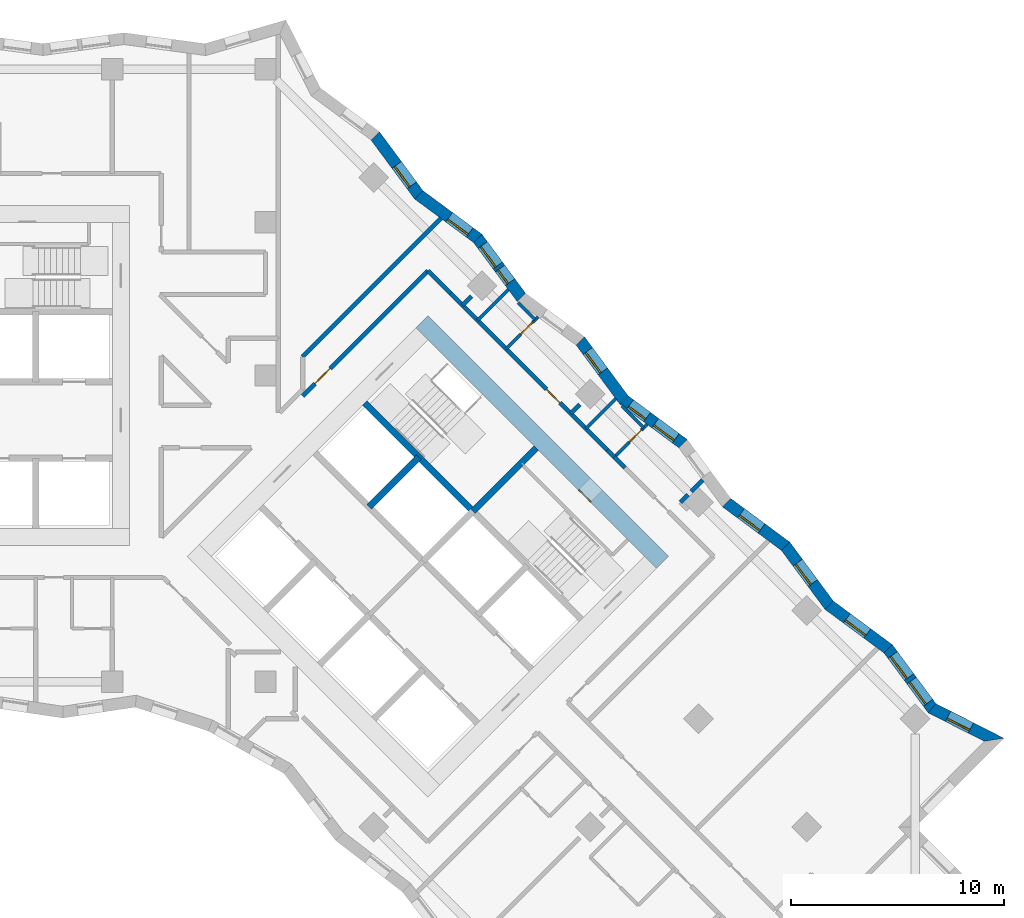
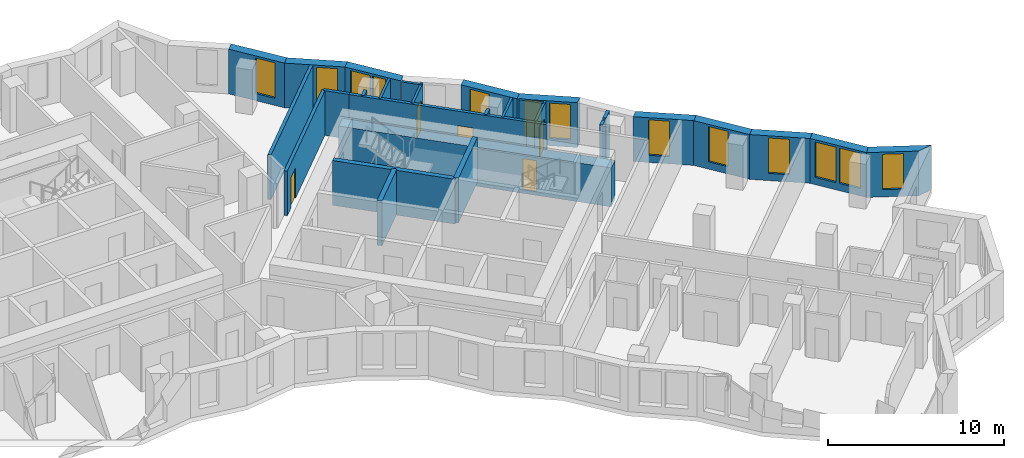
# One storey, part 10 of 13: 30 walls, 13 windows, 5 doors, 18 openings.
"""IFC4 building model written with IfcOpenShell, lengths in metres."""

from ifc_helpers import new_model, si_unit, direction, frame, frame_2d, origin, place, context, subcontext, project, spatial, polyline, rectangle, outline, extrude, material, layer, layer_set, type_object, element, fill, save


model = new_model("IFC4")

# Units and contexts
model_context = context("Model", 3, precision=1e-05, world=origin(), true_north=direction((0.0, 1.0)))
body_context = subcontext(model_context, "Body", "Model", "MODEL_VIEW")
ifc_project = project(units=[si_unit("LENGTHUNIT", "METRE"), si_unit("AREAUNIT", "SQUARE_METRE"), si_unit("VOLUMEUNIT", "CUBIC_METRE"), si_unit("PLANEANGLEUNIT", "RADIAN"), si_unit("MASSUNIT", "GRAM", prefix="KILO")], contexts=[model_context])

# Site, building, storey
site_placement = place(None, origin())
site = spatial("IfcSite", under=ifc_project, at=site_placement, CompositionType="ELEMENT")
building_placement = place(site_placement, origin())
building = spatial("IfcBuilding", under=site, at=building_placement, Name="Windrow Commons", CompositionType="ELEMENT")
storey_placement = place(building_placement, frame((0.0, 0.0, 105.0)))
storey = spatial("IfcBuildingStorey", under=building, at=storey_placement, Name="L28", CompositionType="ELEMENT", Elevation=105.0)

# Wall, opening, window
ifc_material_1 = material(Name="Brick masonry, red clay brick", Category="masonry")
ifc_layer_1 = layer(ifc_material_1, 0.55)
ifc_layer_set_1 = layer_set([ifc_layer_1], Name="Brick facade wall 550")
wall_type_1 = type_object("IfcWallType", Name="Brick facade wall 550", PredefinedType="SOLIDWALL", material=ifc_layer_set_1)
wall_1_placement = place(storey_placement, frame((113.465, 40.4687, 0.0), z_axis=(0.0, 0.0, 1.0), x_axis=(-0.8914386673, 0.4531413715, 0.0)))
wall_1 = element("IfcWall", 1, at=wall_1_placement, inside=storey, type_object=wall_type_1, Name="Brick facade wall L28 7", PredefinedType="SOLIDWALL", context=body_context, shape_type="SweptSolid", body=[
    extrude(outline(polyline([(-0.3789, -0.275), (3.209, -0.275), (3.339, 0.275), (0.3789, 0.275), (-0.3789, -0.275)])), origin(), (0.0, 0.0, 1.0), 3.1),
])
opening_1_placement = place(wall_1_placement, frame((1.2265, 0.0, 0.5)))
opening_1 = element("IfcOpeningElement", 2, at=opening_1_placement, cuts=wall_1, Name="Opening W7D", PredefinedType="OPENING", context=body_context, shape_type="SweptSolid", body=[
    extrude(rectangle(XDim=1.2, YDim=2.45, at=frame_2d((0.6, 1.225))), frame((0.0, 0.285, 0.0), z_axis=(0.0, -1.0, 0.0), x_axis=(1.0, 0.0, 0.0)), (0.0, 0.0, 1.0), 0.57),
])
ifc_material_2 = material(Name="Clear float glass in anodised aluminium frame", Category="aluminium")
window_type_1 = type_object("IfcWindowType", Name="Window W7 notch 1200x2450", PartitioningType="SINGLE_PANEL", PredefinedType="WINDOW", material=ifc_material_2)
window_1_placement = place(opening_1_placement, origin())
window_1 = element("IfcWindow", 3, at=window_1_placement, inside=storey, type_object=window_type_1, Name="Window L28 7.1", OverallHeight=2.45, OverallWidth=1.2, PartitioningType="SINGLE_PANEL", PredefinedType="WINDOW", context=body_context, shape_type="SweptSolid", body=[
    extrude(rectangle(XDim=1.2, YDim=2.45, at=frame_2d((0.6, 1.225))), frame((0.0, 0.155, 0.0), z_axis=(0.0, -1.0, 0.0), x_axis=(1.0, 0.0, 0.0)), (0.0, 0.0, 1.0), 0.06),
])
fill(opening_1, window_1)

# Wall, openings, windows
wall_2_placement = place(storey_placement, frame((110.5464, 41.9523, 0.0), z_axis=(0.0, 0.0, 1.0), x_axis=(-0.5942955294, 0.8042467431, 0.0)))
wall_2 = element("IfcWall", 4, at=wall_2_placement, inside=storey, type_object=wall_type_1, Name="Brick facade wall L28 8", PredefinedType="SOLIDWALL", context=body_context, shape_type="SweptSolid", body=[
    extrude(outline(polyline([(0.065, -0.275), (3.5145, -0.275), (3.4319, 0.275), (-0.065, 0.275), (0.065, -0.275)])), origin(), (0.0, 0.0, 1.0), 3.1),
])
opening_2_placement = place(wall_2_placement, frame((0.316, 0.0, 0.5)))
opening_2 = element("IfcOpeningElement", 5, at=opening_2_placement, cuts=wall_2, Name="Opening W1P", PredefinedType="OPENING", context=body_context, shape_type="SweptSolid", body=[
    extrude(rectangle(XDim=1.3, YDim=2.45, at=frame_2d((0.65, 1.225))), frame((0.0, 0.285, 0.0), z_axis=(0.0, -1.0, 0.0), x_axis=(1.0, 0.0, 0.0)), (0.0, 0.0, 1.0), 0.57),
])
opening_3_placement = place(wall_2_placement, frame((1.816, 0.0, 0.5)))
opening_3 = element("IfcOpeningElement", 6, at=opening_3_placement, cuts=wall_2, Name="Opening W1P", PredefinedType="OPENING", context=body_context, shape_type="SweptSolid", body=[
    extrude(rectangle(XDim=1.3, YDim=2.45, at=frame_2d((0.65, 1.225))), frame((0.0, 0.285, 0.0), z_axis=(0.0, -1.0, 0.0), x_axis=(1.0, 0.0, 0.0)), (0.0, 0.0, 1.0), 0.57),
])
ifc_material_3 = material(Name="Clear float glass in anodised aluminium frame", Category="aluminium")
window_type_2 = type_object("IfcWindowType", Name="Window W1P pair 1300x2450", PartitioningType="SINGLE_PANEL", PredefinedType="WINDOW", material=ifc_material_3)
window_2_placement = place(opening_2_placement, origin())
window_2 = element("IfcWindow", 7, at=window_2_placement, inside=storey, type_object=window_type_2, Name="Window L28 8.1A", OverallHeight=2.45, OverallWidth=1.3, PartitioningType="SINGLE_PANEL", PredefinedType="WINDOW", context=body_context, shape_type="SweptSolid", body=[
    extrude(rectangle(XDim=1.3, YDim=2.45, at=frame_2d((0.65, 1.225))), frame((0.0, 0.155, 0.0), z_axis=(0.0, -1.0, 0.0), x_axis=(1.0, 0.0, 0.0)), (0.0, 0.0, 1.0), 0.06),
])
fill(opening_2, window_2)
window_3_placement = place(opening_3_placement, origin())
window_3 = element("IfcWindow", 8, at=window_3_placement, inside=storey, type_object=window_type_2, Name="Window L28 8.1B", OverallHeight=2.45, OverallWidth=1.3, PartitioningType="SINGLE_PANEL", PredefinedType="WINDOW", context=body_context, shape_type="SweptSolid", body=[
    extrude(rectangle(XDim=1.3, YDim=2.45, at=frame_2d((0.65, 1.225))), frame((0.0, 0.155, 0.0), z_axis=(0.0, -1.0, 0.0), x_axis=(1.0, 0.0, 0.0)), (0.0, 0.0, 1.0), 0.06),
])
fill(opening_3, window_3)

# Wall, opening, window
wall_3_placement = place(storey_placement, frame((108.4823, 44.7456, 0.0), z_axis=(0.0, 0.0, 1.0), x_axis=(-0.8042309632, 0.5943168833, 0.0)))
wall_3 = element("IfcWall", 9, at=wall_3_placement, inside=storey, type_object=wall_type_1, Name="Brick facade wall L28 9", PredefinedType="SOLIDWALL", context=body_context, shape_type="SweptSolid", body=[
    extrude(outline(polyline([(-0.0413, -0.275), (3.4082, -0.275), (3.4907, 0.275), (0.0413, 0.275), (-0.0413, -0.275)])), origin(), (0.0, 0.0, 1.0), 3.1),
])
opening_4_placement = place(wall_3_placement, frame((1.2156, 0.0, 0.5)))
opening_4 = element("IfcOpeningElement", 10, at=opening_4_placement, cuts=wall_3, Name="Opening W7D", PredefinedType="OPENING", context=body_context, shape_type="SweptSolid", body=[
    extrude(rectangle(XDim=1.2, YDim=2.45, at=frame_2d((0.6, 1.225))), frame((0.0, 0.285, 0.0), z_axis=(0.0, -1.0, 0.0), x_axis=(1.0, 0.0, 0.0)), (0.0, 0.0, 1.0), 0.57),
])
window_4_placement = place(opening_4_placement, origin())
window_4 = element("IfcWindow", 11, at=window_4_placement, inside=storey, type_object=window_type_1, Name="Window L28 9.1", OverallHeight=2.45, OverallWidth=1.2, PartitioningType="SINGLE_PANEL", PredefinedType="WINDOW", context=body_context, shape_type="SweptSolid", body=[
    extrude(rectangle(XDim=1.2, YDim=2.45, at=frame_2d((0.6, 1.225))), frame((0.0, 0.155, 0.0), z_axis=(0.0, -1.0, 0.0), x_axis=(1.0, 0.0, 0.0)), (0.0, 0.0, 1.0), 0.06),
])
fill(opening_4, window_4)

wall_4_placement = place(storey_placement, frame((105.7081, 46.7957, 0.0), z_axis=(0.0, 0.0, 1.0), x_axis=(-0.5943307397, 0.8042207234, 0.0)))
wall_4 = element("IfcWall", 12, at=wall_4_placement, inside=storey, type_object=wall_type_1, Name="Brick facade wall L28 10", PredefinedType="SOLIDWALL", context=body_context, shape_type="SweptSolid", body=[
    extrude(outline(polyline([(0.0413, -0.275), (3.4907, -0.275), (3.4082, 0.275), (-0.0413, 0.275), (0.0413, -0.275)])), origin(), (0.0, 0.0, 1.0), 3.1),
])
opening_5_placement = place(wall_4_placement, frame((1.2904, 0.0, 0.5)))
opening_5 = element("IfcOpeningElement", 13, at=opening_5_placement, cuts=wall_4, Name="Opening W7D", PredefinedType="OPENING", context=body_context, shape_type="SweptSolid", body=[
    extrude(rectangle(XDim=1.2, YDim=2.45, at=frame_2d((0.6, 1.225))), frame((0.0, 0.285, 0.0), z_axis=(0.0, -1.0, 0.0), x_axis=(1.0, 0.0, 0.0)), (0.0, 0.0, 1.0), 0.57),
])
window_5_placement = place(opening_5_placement, origin())
window_5 = element("IfcWindow", 14, at=window_5_placement, inside=storey, type_object=window_type_1, Name="Window L28 10.1", OverallHeight=2.45, OverallWidth=1.2, PartitioningType="SINGLE_PANEL", PredefinedType="WINDOW", context=body_context, shape_type="SweptSolid", body=[
    extrude(rectangle(XDim=1.2, YDim=2.45, at=frame_2d((0.6, 1.225))), frame((0.0, 0.155, 0.0), z_axis=(0.0, -1.0, 0.0), x_axis=(1.0, 0.0, 0.0)), (0.0, 0.0, 1.0), 0.06),
])
fill(opening_5, window_5)

wall_5_placement = place(storey_placement, frame((103.658, 49.5698, 0.0), z_axis=(0.0, 0.0, 1.0), x_axis=(-0.8042207234, 0.5943307397, 0.0)))
wall_5 = element("IfcWall", 15, at=wall_5_placement, inside=storey, type_object=wall_type_1, Name="Brick facade wall L28 11", PredefinedType="SOLIDWALL", context=body_context, shape_type="SweptSolid", body=[
    extrude(outline(polyline([(-0.0413, -0.275), (3.4082, -0.275), (3.4907, 0.275), (0.0413, 0.275), (-0.0413, -0.275)])), origin(), (0.0, 0.0, 1.0), 3.1),
])
opening_6_placement = place(wall_5_placement, frame((1.4064, 0.0, 0.5)))
opening_6 = element("IfcOpeningElement", 16, at=opening_6_placement, cuts=wall_5, Name="Opening W7D", PredefinedType="OPENING", context=body_context, shape_type="SweptSolid", body=[
    extrude(rectangle(XDim=1.2, YDim=2.45, at=frame_2d((0.6, 1.225))), frame((0.0, 0.285, 0.0), z_axis=(0.0, -1.0, 0.0), x_axis=(1.0, 0.0, 0.0)), (0.0, 0.0, 1.0), 0.57),
])
window_6_placement = place(opening_6_placement, origin())
window_6 = element("IfcWindow", 17, at=window_6_placement, inside=storey, type_object=window_type_1, Name="Window L28 11.1", OverallHeight=2.45, OverallWidth=1.2, PartitioningType="SINGLE_PANEL", PredefinedType="WINDOW", context=body_context, shape_type="SweptSolid", body=[
    extrude(rectangle(XDim=1.2, YDim=2.45, at=frame_2d((0.6, 1.225))), frame((0.0, 0.155, 0.0), z_axis=(0.0, -1.0, 0.0), x_axis=(1.0, 0.0, 0.0)), (0.0, 0.0, 1.0), 0.06),
])
fill(opening_6, window_6)

# Wall, openings, windows
wall_6_placement = place(storey_placement, frame((98.8338, 54.3941, 0.0), z_axis=(0.0, 0.0, 1.0), x_axis=(-0.8042309632, 0.5943168833, 0.0)))
wall_6 = element("IfcWall", 18, at=wall_6_placement, inside=storey, type_object=wall_type_1, Name="Brick facade wall L28 13", PredefinedType="SOLIDWALL", context=body_context, shape_type="SweptSolid", body=[
    extrude(outline(polyline([(-0.0413, -0.275), (3.4082, -0.275), (3.4907, 0.275), (0.0413, 0.275), (-0.0413, -0.275)])), origin(), (0.0, 0.0, 1.0), 3.1),
])
opening_7_placement = place(wall_6_placement, frame((0.4225, 0.0, 0.5)))
opening_7 = element("IfcOpeningElement", 19, at=opening_7_placement, cuts=wall_6, Name="Opening W7D", PredefinedType="OPENING", context=body_context, shape_type="SweptSolid", body=[
    extrude(rectangle(XDim=1.2, YDim=2.45, at=frame_2d((0.6, 1.225))), frame((0.0, 0.285, 0.0), z_axis=(0.0, -1.0, 0.0), x_axis=(1.0, 0.0, 0.0)), (0.0, 0.0, 1.0), 0.57),
])
opening_8_placement = place(wall_6_placement, frame((2.0972, 0.0, 0.45)))
opening_8 = element("IfcOpeningElement", 20, at=opening_8_placement, cuts=wall_6, Name="Opening W1S", PredefinedType="OPENING", context=body_context, shape_type="SweptSolid", body=[
    extrude(rectangle(XDim=1.0, YDim=2.5, at=frame_2d((0.5, 1.25))), frame((0.0, 0.285, 0.0), z_axis=(0.0, -1.0, 0.0), x_axis=(1.0, 0.0, 0.0)), (0.0, 0.0, 1.0), 0.57),
])
ifc_material_4 = material(Name="Clear float glass in anodised aluminium frame", Category="aluminium")
window_type_3 = type_object("IfcWindowType", Name="Window W1S slit 1000x2500", PartitioningType="SINGLE_PANEL", PredefinedType="WINDOW", material=ifc_material_4)
window_7_placement = place(opening_8_placement, origin())
window_7 = element("IfcWindow", 21, at=window_7_placement, inside=storey, type_object=window_type_3, Name="Window L28 13.1B", OverallHeight=2.5, OverallWidth=1.0, PartitioningType="SINGLE_PANEL", PredefinedType="WINDOW", context=body_context, shape_type="SweptSolid", body=[
    extrude(rectangle(XDim=1.0, YDim=2.5, at=frame_2d((0.5, 1.25))), frame((0.0, 0.155, 0.0), z_axis=(0.0, -1.0, 0.0), x_axis=(1.0, 0.0, 0.0)), (0.0, 0.0, 1.0), 0.06),
])
fill(opening_8, window_7)
window_8_placement = place(opening_7_placement, origin())
window_8 = element("IfcWindow", 22, at=window_8_placement, inside=storey, type_object=window_type_1, Name="Window L28 13.1A", OverallHeight=2.45, OverallWidth=1.2, PartitioningType="SINGLE_PANEL", PredefinedType="WINDOW", context=body_context, shape_type="SweptSolid", body=[
    extrude(rectangle(XDim=1.2, YDim=2.45, at=frame_2d((0.6, 1.225))), frame((0.0, 0.155, 0.0), z_axis=(0.0, -1.0, 0.0), x_axis=(1.0, 0.0, 0.0)), (0.0, 0.0, 1.0), 0.06),
])
fill(opening_7, window_8)

# Wall, opening, window
wall_7_placement = place(storey_placement, frame((96.0596, 56.4442, 0.0), z_axis=(0.0, 0.0, 1.0), x_axis=(-0.5943307397, 0.8042207234, 0.0)))
wall_7 = element("IfcWall", 23, at=wall_7_placement, inside=storey, type_object=wall_type_1, Name="Brick facade wall L28 14", PredefinedType="SOLIDWALL", context=body_context, shape_type="SweptSolid", body=[
    extrude(outline(polyline([(0.0413, -0.275), (3.4907, -0.275), (3.4082, 0.275), (-0.0413, 0.275), (0.0413, -0.275)])), origin(), (0.0, 0.0, 1.0), 3.1),
])
opening_9_placement = place(wall_7_placement, frame((1.6721, 0.0, 0.5)))
opening_9 = element("IfcOpeningElement", 24, at=opening_9_placement, cuts=wall_7, Name="Opening W7D", PredefinedType="OPENING", context=body_context, shape_type="SweptSolid", body=[
    extrude(rectangle(XDim=1.2, YDim=2.45, at=frame_2d((0.6, 1.225))), frame((0.0, 0.285, 0.0), z_axis=(0.0, -1.0, 0.0), x_axis=(1.0, 0.0, 0.0)), (0.0, 0.0, 1.0), 0.57),
])
window_9_placement = place(opening_9_placement, origin())
window_9 = element("IfcWindow", 25, at=window_9_placement, inside=storey, type_object=window_type_1, Name="Window L28 14.1", OverallHeight=2.45, OverallWidth=1.2, PartitioningType="SINGLE_PANEL", PredefinedType="WINDOW", context=body_context, shape_type="SweptSolid", body=[
    extrude(rectangle(XDim=1.2, YDim=2.45, at=frame_2d((0.6, 1.225))), frame((0.0, 0.155, 0.0), z_axis=(0.0, -1.0, 0.0), x_axis=(1.0, 0.0, 0.0)), (0.0, 0.0, 1.0), 0.06),
])
fill(opening_9, window_9)

# Wall, openings, windows
wall_8_placement = place(storey_placement, frame((91.2354, 61.2684, 0.0), z_axis=(0.0, 0.0, 1.0), x_axis=(-0.5943168833, 0.8042309632, 0.0)))
wall_8 = element("IfcWall", 26, at=wall_8_placement, inside=storey, type_object=wall_type_1, Name="Brick facade wall L28 16", PredefinedType="SOLIDWALL", context=body_context, shape_type="SweptSolid", body=[
    extrude(outline(polyline([(0.0413, -0.275), (3.4907, -0.275), (3.4082, 0.275), (-0.0413, 0.275), (0.0413, -0.275)])), origin(), (0.0, 0.0, 1.0), 3.1),
])
opening_10_placement = place(wall_8_placement, frame((1.8629, 0.0, 0.5)))
opening_10 = element("IfcOpeningElement", 27, at=opening_10_placement, cuts=wall_8, Name="Opening W7D", PredefinedType="OPENING", context=body_context, shape_type="SweptSolid", body=[
    extrude(rectangle(XDim=1.2, YDim=2.45, at=frame_2d((0.6, 1.225))), frame((0.0, 0.285, 0.0), z_axis=(0.0, -1.0, 0.0), x_axis=(1.0, 0.0, 0.0)), (0.0, 0.0, 1.0), 0.57),
])
opening_11_placement = place(wall_8_placement, frame((0.889, 0.0, 0.45)))
opening_11 = element("IfcOpeningElement", 28, at=opening_11_placement, cuts=wall_8, Name="Opening W1N", PredefinedType="OPENING", context=body_context, shape_type="SweptSolid", body=[
    extrude(rectangle(XDim=0.8, YDim=2.5, at=frame_2d((0.4, 1.25))), frame((0.0, 0.285, 0.0), z_axis=(0.0, -1.0, 0.0), x_axis=(1.0, 0.0, 0.0)), (0.0, 0.0, 1.0), 0.57),
])
ifc_material_5 = material(Name="Clear float glass in anodised aluminium frame", Category="aluminium")
window_type_4 = type_object("IfcWindowType", Name="Window W1N slit 800x2500", PartitioningType="SINGLE_PANEL", PredefinedType="WINDOW", material=ifc_material_5)
window_10_placement = place(opening_11_placement, origin())
window_10 = element("IfcWindow", 29, at=window_10_placement, inside=storey, type_object=window_type_4, Name="Window L28 16.1A", OverallHeight=2.5, OverallWidth=0.8, PartitioningType="SINGLE_PANEL", PredefinedType="WINDOW", context=body_context, shape_type="SweptSolid", body=[
    extrude(rectangle(XDim=0.8, YDim=2.5, at=frame_2d((0.4, 1.25))), frame((0.0, 0.155, 0.0), z_axis=(0.0, -1.0, 0.0), x_axis=(1.0, 0.0, 0.0)), (0.0, 0.0, 1.0), 0.06),
])
fill(opening_11, window_10)
window_11_placement = place(opening_10_placement, origin())
window_11 = element("IfcWindow", 30, at=window_11_placement, inside=storey, type_object=window_type_1, Name="Window L28 16.2", OverallHeight=2.45, OverallWidth=1.2, PartitioningType="SINGLE_PANEL", PredefinedType="WINDOW", context=body_context, shape_type="SweptSolid", body=[
    extrude(rectangle(XDim=1.2, YDim=2.45, at=frame_2d((0.6, 1.225))), frame((0.0, 0.155, 0.0), z_axis=(0.0, -1.0, 0.0), x_axis=(1.0, 0.0, 0.0)), (0.0, 0.0, 1.0), 0.06),
])
fill(opening_10, window_11)

# Wall, opening, window
wall_9_placement = place(storey_placement, frame((89.1853, 64.0426, 0.0), z_axis=(0.0, 0.0, 1.0), x_axis=(-0.8042309632, 0.5943168833, 0.0)))
wall_9 = element("IfcWall", 31, at=wall_9_placement, inside=storey, type_object=wall_type_1, Name="Brick facade wall L28 17", PredefinedType="SOLIDWALL", context=body_context, shape_type="SweptSolid", body=[
    extrude(outline(polyline([(-0.0413, -0.275), (3.4082, -0.275), (3.4907, 0.275), (0.0413, 0.275), (-0.0413, -0.275)])), origin(), (0.0, 0.0, 1.0), 3.1),
])
opening_12_placement = place(wall_9_placement, frame((0.4749, 0.0, 0.5)))
opening_12 = element("IfcOpeningElement", 32, at=opening_12_placement, cuts=wall_9, Name="Opening W7D", PredefinedType="OPENING", context=body_context, shape_type="SweptSolid", body=[
    extrude(rectangle(XDim=1.2, YDim=2.45, at=frame_2d((0.6, 1.225))), frame((0.0, 0.285, 0.0), z_axis=(0.0, -1.0, 0.0), x_axis=(1.0, 0.0, 0.0)), (0.0, 0.0, 1.0), 0.57),
])
window_12_placement = place(opening_12_placement, origin())
window_12 = element("IfcWindow", 33, at=window_12_placement, inside=storey, type_object=window_type_1, Name="Window L28 17.1", OverallHeight=2.45, OverallWidth=1.2, PartitioningType="SINGLE_PANEL", PredefinedType="WINDOW", context=body_context, shape_type="SweptSolid", body=[
    extrude(rectangle(XDim=1.2, YDim=2.45, at=frame_2d((0.6, 1.225))), frame((0.0, 0.155, 0.0), z_axis=(0.0, -1.0, 0.0), x_axis=(1.0, 0.0, 0.0)), (0.0, 0.0, 1.0), 0.06),
])
fill(opening_12, window_12)

wall_10_placement = place(storey_placement, frame((86.4111, 66.0927, 0.0), z_axis=(0.0, 0.0, 1.0), x_axis=(-0.5943119891, 0.80423458, 0.0)))
wall_10 = element("IfcWall", 34, at=wall_10_placement, inside=storey, type_object=wall_type_1, Name="Brick facade wall L28 18", PredefinedType="SOLIDWALL", context=body_context, shape_type="SweptSolid", body=[
    extrude(outline(polyline([(0.0413, -0.275), (3.4907, -0.275), (3.4082, 0.275), (-0.0413, 0.275), (0.0413, -0.275)])), origin(), (0.0, 0.0, 1.0), 3.1),
])
opening_13_placement = place(wall_10_placement, frame((0.5497, 0.0, 0.5)))
opening_13 = element("IfcOpeningElement", 35, at=opening_13_placement, cuts=wall_10, Name="Opening W7D", PredefinedType="OPENING", context=body_context, shape_type="SweptSolid", body=[
    extrude(rectangle(XDim=1.2, YDim=2.45, at=frame_2d((0.6, 1.225))), frame((0.0, 0.285, 0.0), z_axis=(0.0, -1.0, 0.0), x_axis=(1.0, 0.0, 0.0)), (0.0, 0.0, 1.0), 0.57),
])
window_13_placement = place(opening_13_placement, origin())
window_13 = element("IfcWindow", 36, at=window_13_placement, inside=storey, type_object=window_type_1, Name="Window L28 18.1", OverallHeight=2.45, OverallWidth=1.2, PartitioningType="SINGLE_PANEL", PredefinedType="WINDOW", context=body_context, shape_type="SweptSolid", body=[
    extrude(rectangle(XDim=1.2, YDim=2.45, at=frame_2d((0.6, 1.225))), frame((0.0, 0.155, 0.0), z_axis=(0.0, -1.0, 0.0), x_axis=(1.0, 0.0, 0.0)), (0.0, 0.0, 1.0), 0.06),
])
fill(opening_13, window_13)

# Wall, opening, door
ifc_material_6 = material(Name="Blockwork partition", Category="masonry")
ifc_layer_2 = layer(ifc_material_6, 0.2)
ifc_layer_set_2 = layer_set([ifc_layer_2], Name="IW-CORRIDOR-200")
wall_type_2 = type_object("IfcWallType", Name="IW-CORRIDOR-200", PredefinedType="PARTITIONING", material=ifc_layer_set_2)
wall_11_placement = place(storey_placement, frame((87.8945, 61.4605, 0.0), z_axis=(0.0, 0.0, 1.0), x_axis=(0.7071067812, -0.7071067812, 0.0)))
wall_11 = element("IfcWall", 37, at=wall_11_placement, inside=storey, type_object=wall_type_2, Name="W-L28-W011", PredefinedType="PARTITIONING", context=body_context, shape_type="SweptSolid", body=[
    extrude(rectangle(XDim=10.4284, YDim=0.2, at=frame_2d((5.2142, 0.0))), origin(), (0.0, 0.0, 1.0), 3.1),
])
opening_14_placement = place(wall_11_placement, frame((6.3902, 0.0, 0.0)))
opening_14 = element("IfcOpeningElement", 38, at=opening_14_placement, cuts=wall_11, Name="Opening D109S", PredefinedType="OPENING", context=body_context, shape_type="SweptSolid", body=[
    extrude(rectangle(XDim=0.9, YDim=2.1, at=frame_2d((0.45, 1.05))), frame((0.0, 0.11, 0.0), z_axis=(0.0, -1.0, 0.0), x_axis=(1.0, 0.0, 0.0)), (0.0, 0.0, 1.0), 0.22),
])
ifc_material_7 = material(Name="Timber door leaf", Category="wood")
door_type_1 = type_object("IfcDoorType", Name="DT-BEDROOM-900", OperationType="SINGLE_SWING_LEFT", PredefinedType="DOOR", material=ifc_material_7)
door_1_placement = place(opening_14_placement, origin())
door_1 = element("IfcDoor", 39, at=door_1_placement, inside=storey, type_object=door_type_1, Name="D-L28-D037", OperationType="SINGLE_SWING_LEFT", OverallHeight=2.1, OverallWidth=0.9, PredefinedType="DOOR", context=body_context, shape_type="SweptSolid", body=[
    extrude(rectangle(XDim=0.9, YDim=2.1, at=frame_2d((0.45, 1.05))), frame((0.0, 0.025, 0.0), z_axis=(0.0, -1.0, 0.0), x_axis=(1.0, 0.0, 0.0)), (0.0, 0.0, 1.0), 0.05),
])
fill(opening_14, door_1)

wall_12_placement = place(storey_placement, frame((80.9512, 56.6408, 0.0), z_axis=(0.0, 0.0, 1.0), x_axis=(0.7071067812, 0.7071067812, 0.0)))
wall_12 = element("IfcWall", 40, at=wall_12_placement, inside=storey, type_object=wall_type_2, Name="W-L28-W018", PredefinedType="PARTITIONING", context=body_context, shape_type="SweptSolid", body=[
    extrude(rectangle(XDim=8.3212, YDim=0.2, at=frame_2d((4.1606, 0.0))), origin(), (0.0, 0.0, 1.0), 3.1),
])
opening_15_placement = place(wall_12_placement, frame((0.8162, 0.0, 0.0)))
opening_15 = element("IfcOpeningElement", 41, at=opening_15_placement, cuts=wall_12, Name="Opening D310F", PredefinedType="OPENING", context=body_context, shape_type="SweptSolid", body=[
    extrude(rectangle(XDim=1.0, YDim=2.1, at=frame_2d((0.5, 1.05))), frame((0.0, 0.11, 0.0), z_axis=(0.0, -1.0, 0.0), x_axis=(1.0, 0.0, 0.0)), (0.0, 0.0, 1.0), 0.22),
])
ifc_material_8 = material(Name="Timber door leaf", Category="wood")
door_type_2 = type_object("IfcDoorType", Name="DT-AMENITY-1000", OperationType="SINGLE_SWING_LEFT", PredefinedType="DOOR", material=ifc_material_8)
door_2_placement = place(opening_15_placement, origin())
door_2 = element("IfcDoor", 42, at=door_2_placement, inside=storey, type_object=door_type_2, Name="D-L28-D036", OperationType="SINGLE_SWING_RIGHT", OverallHeight=2.1, OverallWidth=1.0, PredefinedType="DOOR", context=body_context, shape_type="SweptSolid", body=[
    extrude(rectangle(XDim=1.0, YDim=2.1, at=frame_2d((0.5, 1.05))), frame((0.0, 0.025, 0.0), z_axis=(0.0, -1.0, 0.0), x_axis=(1.0, 0.0, 0.0)), (0.0, 0.0, 1.0), 0.05),
])
fill(opening_15, door_2)

# Walls
wall_13_placement = place(storey_placement, frame((86.838, 62.526, 0.0), z_axis=(0.0, 0.0, 1.0), x_axis=(0.70777292, -0.7064400143, 0.0)))
element("IfcWall", 43, at=wall_13_placement, inside=storey, type_object=wall_type_2, Name="W-L28-W133", PredefinedType="PARTITIONING", context=body_context, shape_type="SweptSolid", body=[
    extrude(rectangle(XDim=1.5005, YDim=0.2, at=frame_2d((0.7502, 0.0))), origin(), (0.0, 0.0, 1.0), 3.1),
])
wall_14_placement = place(storey_placement, frame((95.6089, 53.7609, 0.0), z_axis=(0.0, 0.0, 1.0), x_axis=(0.7056768426, -0.7085338339, 0.0)))
element("IfcWall", 44, at=wall_14_placement, inside=storey, type_object=wall_type_2, Name="W-L28-W144", PredefinedType="PARTITIONING", context=body_context, shape_type="SweptSolid", body=[
    extrude(rectangle(XDim=0.7, YDim=0.2, at=frame_2d((0.35, 0.0))), origin(), (0.0, 0.0, 1.0), 3.1),
])
wall_15_placement = place(storey_placement, frame((95.2707, 54.0887, 0.0), z_axis=(0.0, 0.0, 1.0), x_axis=(0.7049801586, -0.7092270271, 0.0)))
element("IfcWall", 45, at=wall_15_placement, inside=storey, type_object=wall_type_2, Name="W-L28-W157", PredefinedType="PARTITIONING", context=body_context, shape_type="SweptSolid", body=[
    extrude(rectangle(XDim=0.4709, YDim=0.2, at=frame_2d((0.2354, 0.0))), origin(), (0.0, 0.0, 1.0), 3.1),
])

# Wall, opening, door
ifc_material_9 = material(Name="Blockwork partition", Category="masonry")
ifc_layer_3 = layer(ifc_material_9, 0.15)
ifc_layer_set_3 = layer_set([ifc_layer_3], Name="IW-ENSUITE-150")
wall_type_3 = type_object("IfcWallType", Name="IW-ENSUITE-150", PredefinedType="PARTITIONING", material=ifc_layer_set_3)
wall_16_placement = place(storey_placement, frame((95.6053, 53.7587, 0.0), z_axis=(0.0, 0.0, 1.0), x_axis=(0.7071067812, 0.7071067812, 0.0)))
wall_16 = element("IfcWall", 46, at=wall_16_placement, inside=storey, type_object=wall_type_3, Name="W-L28-W100", PredefinedType="PARTITIONING", context=body_context, shape_type="SweptSolid", body=[
    extrude(rectangle(XDim=2.1789, YDim=0.15, at=frame_2d((1.0895, 0.0))), origin(), (0.0, 0.0, 1.0), 3.1),
])
opening_16_placement = place(wall_16_placement, frame((0.9967, 0.0, 0.0)))
opening_16 = element("IfcOpeningElement", 47, at=opening_16_placement, cuts=wall_16, Name="Opening D208N", PredefinedType="OPENING", context=body_context, shape_type="SweptSolid", body=[
    extrude(rectangle(XDim=0.8, YDim=2.1, at=frame_2d((0.4, 1.05))), frame((0.0, 0.085, 0.0), z_axis=(0.0, -1.0, 0.0), x_axis=(1.0, 0.0, 0.0)), (0.0, 0.0, 1.0), 0.17),
])
ifc_material_10 = material(Name="Timber door leaf", Category="wood")
door_type_3 = type_object("IfcDoorType", Name="DT-ENSUITE-800", OperationType="SINGLE_SWING_LEFT", PredefinedType="DOOR", material=ifc_material_10)
door_3_placement = place(opening_16_placement, origin())
door_3 = element("IfcDoor", 48, at=door_3_placement, inside=storey, type_object=door_type_3, Name="D-L28-D040", OperationType="SINGLE_SWING_RIGHT", OverallHeight=2.1, OverallWidth=0.8, PredefinedType="DOOR", context=body_context, shape_type="SweptSolid", body=[
    extrude(rectangle(XDim=0.8, YDim=2.1, at=frame_2d((0.4, 1.05))), frame((0.0, 0.025, 0.0), z_axis=(0.0, -1.0, 0.0), x_axis=(1.0, 0.0, 0.0)), (0.0, 0.0, 1.0), 0.05),
])
fill(opening_16, door_3)

wall_17_placement = place(storey_placement, frame((90.5131, 58.8489, 0.0), z_axis=(0.0, 0.0, 1.0), x_axis=(0.7071303251, 0.7070832365, 0.0)))
wall_17 = element("IfcWall", 49, at=wall_17_placement, inside=storey, type_object=wall_type_3, Name="W-L28-W103", PredefinedType="PARTITIONING", context=body_context, shape_type="SweptSolid", body=[
    extrude(rectangle(XDim=2.1237, YDim=0.15, at=frame_2d((1.0618, 0.0))), origin(), (0.0, 0.0, 1.0), 3.1),
])
opening_17_placement = place(wall_17_placement, frame((0.9722, 0.0, 0.0)))
opening_17 = element("IfcOpeningElement", 50, at=opening_17_placement, cuts=wall_17, Name="Opening D208N", PredefinedType="OPENING", context=body_context, shape_type="SweptSolid", body=[
    extrude(rectangle(XDim=0.8, YDim=2.1, at=frame_2d((0.4, 1.05))), frame((0.0, 0.085, 0.0), z_axis=(0.0, -1.0, 0.0), x_axis=(1.0, 0.0, 0.0)), (0.0, 0.0, 1.0), 0.17),
])
door_4_placement = place(opening_17_placement, origin())
door_4 = element("IfcDoor", 51, at=door_4_placement, inside=storey, type_object=door_type_3, Name="D-L28-D038", OperationType="SINGLE_SWING_RIGHT", OverallHeight=2.1, OverallWidth=0.8, PredefinedType="DOOR", context=body_context, shape_type="SweptSolid", body=[
    extrude(rectangle(XDim=0.8, YDim=2.1, at=frame_2d((0.4, 1.05))), frame((0.0, 0.025, 0.0), z_axis=(0.0, -1.0, 0.0), x_axis=(1.0, 0.0, 0.0)), (0.0, 0.0, 1.0), 0.05),
])
fill(opening_17, door_4)

# Walls
wall_18_placement = place(storey_placement, frame((89.1695, 60.1925, 0.0), z_axis=(0.0, 0.0, 1.0), x_axis=(0.7076435955, 0.706569559, 0.0)))
element("IfcWall", 52, at=wall_18_placement, inside=storey, type_object=wall_type_3, Name="W-L28-W111", PredefinedType="PARTITIONING", context=body_context, shape_type="SweptSolid", body=[
    extrude(rectangle(XDim=2.0483, YDim=0.15, at=frame_2d((1.0241, 0.0))), origin(), (0.0, 0.0, 1.0), 3.1),
])
wall_19_placement = place(storey_placement, frame((94.2609, 55.1011, 0.0), z_axis=(0.0, 0.0, 1.0), x_axis=(0.7065795114, 0.7076336581, 0.0)))
element("IfcWall", 53, at=wall_19_placement, inside=storey, type_object=wall_type_3, Name="W-L28-W114", PredefinedType="PARTITIONING", context=body_context, shape_type="SweptSolid", body=[
    extrude(rectangle(XDim=1.9921, YDim=0.15, at=frame_2d((0.996, 0.0))), origin(), (0.0, 0.0, 1.0), 3.1),
])
wall_20_placement = place(storey_placement, frame((95.9613, 56.1657, 0.0), z_axis=(0.0, 0.0, 1.0), x_axis=(0.7071067812, -0.7071067812, 0.0)))
element("IfcWall", 54, at=wall_20_placement, inside=storey, type_object=wall_type_3, Name="W-L28-W134", PredefinedType="PARTITIONING", context=body_context, shape_type="SweptSolid", body=[
    extrude(rectangle(XDim=1.4513, YDim=0.15, at=frame_2d((0.7257, 0.0))), origin(), (0.0, 0.0, 1.0), 3.1),
])
wall_21_placement = place(storey_placement, frame((91.0828, 61.03, 0.0), z_axis=(0.0, 0.0, 1.0), x_axis=(0.7071067812, -0.7071067812, 0.0)))
element("IfcWall", 55, at=wall_21_placement, inside=storey, type_object=wall_type_3, Name="W-L28-W137", PredefinedType="PARTITIONING", context=body_context, shape_type="SweptSolid", body=[
    extrude(rectangle(XDim=1.1407, YDim=0.15, at=frame_2d((0.5704, 0.0))), origin(), (0.0, 0.0, 1.0), 3.1),
])
ifc_material_11 = material(Name="Blockwork partition", Category="masonry")
ifc_layer_4 = layer(ifc_material_11, 0.2)
ifc_layer_set_4 = layer_set([ifc_layer_4], Name="IW-PARTY-200")
wall_type_4 = type_object("IfcWallType", Name="IW-PARTY-200", PredefinedType="PARTITIONING", material=ifc_layer_set_4)
wall_22_placement = place(storey_placement, frame((80.9489, 58.4771, 0.0), z_axis=(0.0, 0.0, 1.0), x_axis=(0.7071122172, 0.7071013451, 0.0)))
element("IfcWall", 56, at=wall_22_placement, inside=storey, type_object=wall_type_4, Name="W-L28-W016", PredefinedType="PARTITIONING", context=body_context, shape_type="SweptSolid", body=[
    extrude(rectangle(XDim=9.1978, YDim=0.2, at=frame_2d((4.5989, 0.0))), origin(), (0.0, 0.0, 1.0), 3.1),
])
wall_23_placement = place(storey_placement, frame((99.2156, 52.1364, 0.0), z_axis=(0.0, 0.0, 1.0), x_axis=(0.7071067812, 0.7071067812, 0.0)))
element("IfcWall", 57, at=wall_23_placement, inside=storey, type_object=wall_type_4, Name="W-L28-W143", PredefinedType="PARTITIONING", context=body_context, shape_type="SweptSolid", body=[
    extrude(rectangle(XDim=0.7682, YDim=0.2, at=frame_2d((0.3841, 0.0))), origin(), (0.0, 0.0, 1.0), 3.1),
])
for number, where, z_axis, x_axis, name in (
    (58, (93.5552, 55.8068, 0.0), (0.0, 0.0, 1.0), (0.7087923682, 0.7054171665, 0.0), "W-L28-W149"),
    (59, (88.4611, 60.9009, 0.0), (0.0, 0.0, 1.0), (0.7054171665, 0.7087923682, 0.0), "W-L28-W150"),
):
    element("IfcWall", number, at=place(storey_placement, frame(where, z_axis=z_axis, x_axis=x_axis)), inside=storey, type_object=wall_type_4, Name=name, PredefinedType="PARTITIONING", context=body_context, shape_type="SweptSolid", body=[
        extrude(rectangle(XDim=0.5926, YDim=0.2, at=frame_2d((0.2963, 0.0))), origin(), (0.0, 0.0, 1.0), 3.1),
    ])
wall_24_placement = place(storey_placement, frame((98.7116, 51.6324, 0.0), z_axis=(0.0, 0.0, 1.0), x_axis=(0.7071067812, 0.7071067812, 0.0)))
element("IfcWall", 60, at=wall_24_placement, inside=storey, type_object=wall_type_4, Name="W-L28-W153", PredefinedType="PARTITIONING", context=body_context, shape_type="SweptSolid", body=[
    extrude(rectangle(XDim=0.4978, YDim=0.2, at=frame_2d((0.2489, 0.0))), origin(), (0.0, 0.0, 1.0), 3.1),
])

# Wall, opening, door
ifc_material_12 = material(Name="Concrete C50/60", Category="concrete")
ifc_layer_5 = layer(ifc_material_12, 0.8)
ifc_layer_set_5 = layer_set([ifc_layer_5], Name="RC CORE WALL 800 C50/60")
wall_type_5 = type_object("IfcWallType", Name="RC CORE WALL 800 C50/60", PredefinedType="SHEAR", material=ifc_layer_set_5)
wall_25_placement = place(storey_placement, frame((86.5539, 60.1206, -0.3), z_axis=(0.0, 0.0, 1.0), x_axis=(0.7071067812, -0.7071067812, 0.0)))
wall_25 = element("IfcWall", 61, at=wall_25_placement, inside=storey, type_object=wall_type_5, Name="Core B wall outer-N", PredefinedType="SHEAR", context=body_context, shape_type="SweptSolid", body=[
    extrude(rectangle(XDim=16.0, YDim=0.8, at=frame_2d((8.0, 0.0))), origin(), (0.0, 0.0, 1.0), 2.7),
])
opening_18_placement = place(wall_25_placement, frame((10.8, 0.0, 0.3)))
opening_18 = element("IfcOpeningElement", 62, at=opening_18_placement, cuts=wall_25, Name="Opening D9", PredefinedType="OPENING", context=body_context, shape_type="SweptSolid", body=[
    extrude(rectangle(XDim=0.8, YDim=2.1, at=frame_2d((0.4, 1.05))), frame((0.0, 0.41, 0.0), z_axis=(0.0, -1.0, 0.0), x_axis=(1.0, 0.0, 0.0)), (0.0, 0.0, 1.0), 0.82),
])
ifc_material_13 = material(Name="Steel fire door leaf", Category="steel")
door_type_4 = type_object("IfcDoorType", Name="Riser access door 800", OperationType="SINGLE_SWING_LEFT", PredefinedType="DOOR", material=ifc_material_13)
door_5_placement = place(opening_18_placement, origin())
door_5 = element("IfcDoor", 63, at=door_5_placement, inside=storey, type_object=door_type_4, Name="Riser access door", OperationType="SINGLE_SWING_RIGHT", OverallHeight=2.1, OverallWidth=0.8, PredefinedType="DOOR", context=body_context, shape_type="SweptSolid", body=[
    extrude(rectangle(XDim=0.8, YDim=2.1, at=frame_2d((0.4, 1.05))), frame((0.0, -0.34, 0.0), z_axis=(0.0, -1.0, 0.0), x_axis=(1.0, 0.0, 0.0)), (0.0, 0.0, 1.0), 0.05),
])
fill(opening_18, door_5)

# Walls
ifc_material_14 = material(Name="Concrete C50/60", Category="concrete")
ifc_layer_6 = layer(ifc_material_14, 0.3)
ifc_layer_set_6 = layer_set([ifc_layer_6], Name="RC SHAFT WALL 300 C50/60")
wall_type_6 = type_object("IfcWallType", Name="RC SHAFT WALL 300 C50/60", PredefinedType="SOLIDWALL", material=ifc_layer_set_6)
wall_26_placement = place(storey_placement, frame((84.079, 51.4232, 0.0), z_axis=(0.0, 0.0, 1.0), x_axis=(0.7071219326, 0.7070916295, 0.0)))
element("IfcWall", 64, at=wall_26_placement, inside=storey, type_object=wall_type_6, Name="Core B wall shaft-N1", PredefinedType="SOLIDWALL", context=body_context, shape_type="SweptSolid", body=[
    extrude(rectangle(XDim=3.3, YDim=0.3, at=frame_2d((1.65, 0.0))), origin(), (0.0, 0.0, 1.0), 3.1),
])
wall_27_placement = place(storey_placement, frame((83.8669, 56.3022, 0.0), z_axis=(0.0, 0.0, 1.0), x_axis=(0.7071137256, -0.7070998367, 0.0)))
element("IfcWall", 65, at=wall_27_placement, inside=storey, type_object=wall_type_6, Name="Core B wall stair-S", PredefinedType="SOLIDWALL", context=body_context, shape_type="SweptSolid", body=[
    extrude(rectangle(XDim=7.2, YDim=0.3, at=frame_2d((3.6, 0.0))), origin(), (0.0, 0.0, 1.0), 3.1),
])
wall_28_placement = place(storey_placement, frame((88.9581, 51.2111, 0.0), z_axis=(0.0, 0.0, 1.0), x_axis=(0.7071067812, 0.7071067812, 0.0)))
element("IfcWall", 66, at=wall_28_placement, inside=storey, type_object=wall_type_6, Name="Core B wall stair-mid", PredefinedType="SOLIDWALL", context=body_context, shape_type="SweptSolid", body=[
    extrude(rectangle(XDim=4.1999, YDim=0.3, at=frame_2d((2.1, 0.0))), origin(), (0.0, 0.0, 1.0), 3.1),
])

save(model, "model.ifc")
